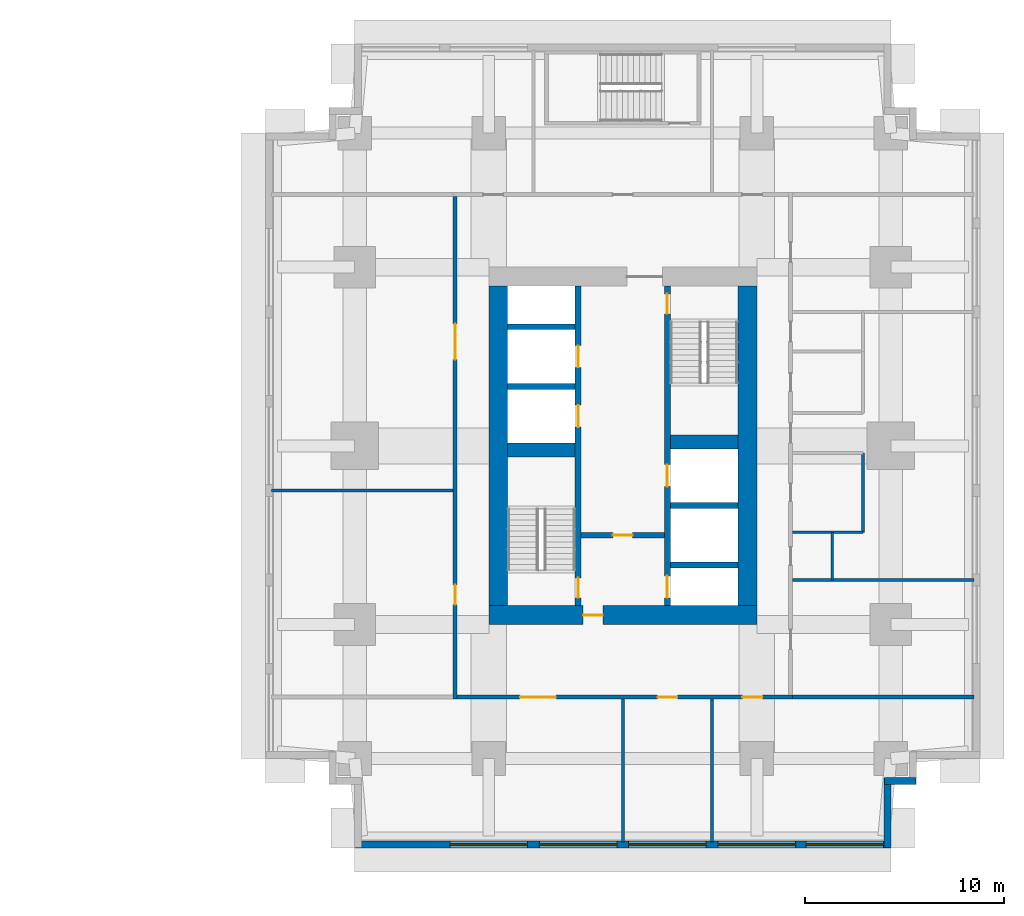
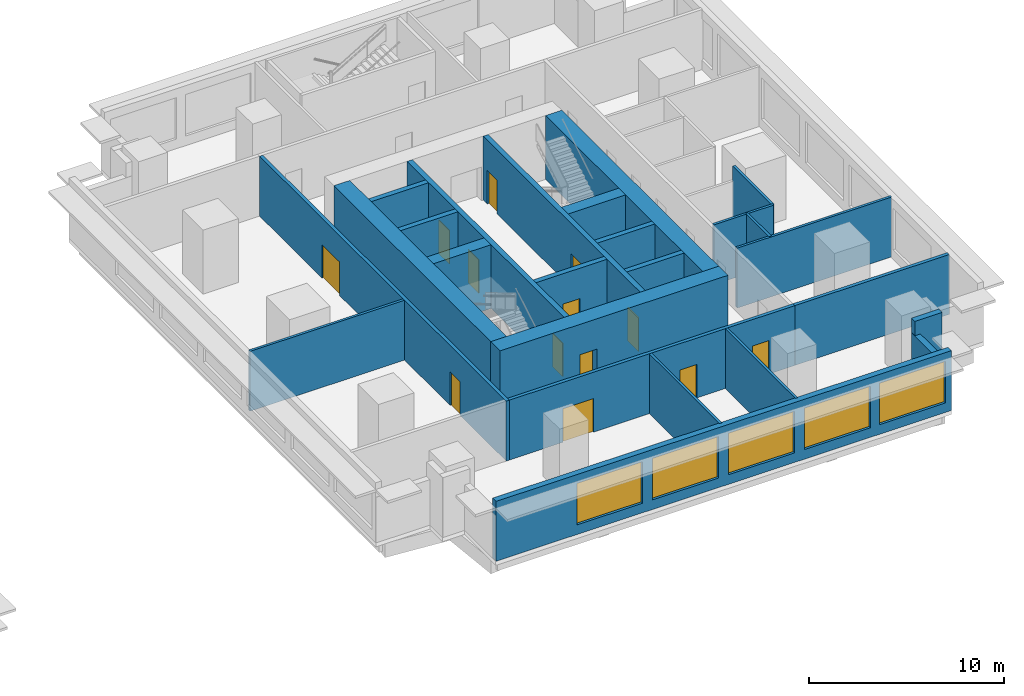
# One storey, part 6 of 11: 25 walls, 13 doors, 5 windows, 18 openings.
"""IFC4 building model written with IfcOpenShell, lengths in metres."""

from ifc_helpers import new_model, si_unit, direction, frame, frame_2d, origin, place, context, subcontext, project, spatial, rectangle, extrude, material, layer, layer_set, type_object, element, fill, save


model = new_model("IFC4")

# Units and contexts
model_context = context("Model", 3, precision=1e-05, world=origin(), true_north=direction((0.0, 1.0)))
body_context = subcontext(model_context, "Body", "Model", "MODEL_VIEW")
ifc_project = project(units=[si_unit("LENGTHUNIT", "METRE"), si_unit("AREAUNIT", "SQUARE_METRE"), si_unit("VOLUMEUNIT", "CUBIC_METRE"), si_unit("PLANEANGLEUNIT", "RADIAN"), si_unit("MASSUNIT", "GRAM", prefix="KILO")], contexts=[model_context])

# Site, building, storey
site_placement = place(None, origin())
site = spatial("IfcSite", under=ifc_project, at=site_placement, CompositionType="ELEMENT")
building_placement = place(site_placement, origin())
building = spatial("IfcBuilding", under=site, at=building_placement, Name="Namib Vertical Campus", CompositionType="ELEMENT")
storey_placement = place(building_placement, frame((0.0, 0.0, 65.0)))
storey = spatial("IfcBuildingStorey", under=building, at=storey_placement, Name="L15", CompositionType="ELEMENT", Elevation=65.0)

# Wall, openings, doors
ifc_material_1 = material(Name="Concrete C60/75", Category="concrete")
ifc_layer_1 = layer(ifc_material_1, 0.300048828125)
ifc_layer_set_1 = layer_set([ifc_layer_1], Name="Concrete C60/75")
wall_type_1 = type_object("IfcWallType", Name="Core inner wall 300", PredefinedType="SHEAR", material=ifc_layer_set_1)
wall_1_placement = place(storey_placement, frame((78.75, 12.199951171875, 0.0), z_axis=(0.0, 0.0, 1.0), x_axis=(0.0, 1.0, 0.0)))
wall_1 = element("IfcWall", 1, at=wall_1_placement, inside=storey, type_object=wall_type_1, Name="Core inner wall B L15 W1", PredefinedType="SHEAR", context=body_context, shape_type="SweptSolid", body=[
    extrude(rectangle(XDim=16.10009765625, YDim=0.300048828125, at=frame_2d((8.050048828125, 0.0))), origin(), (0.0, 0.0, 1.0), 4.0),
])
opening_1_placement = place(wall_1_placement, frame((0.39990234375, 0.0, 0.0)))
opening_1 = element("IfcOpeningElement", 2, at=opening_1_placement, cuts=wall_1, Name="Opening FD1", PredefinedType="OPENING", context=body_context, shape_type="SweptSolid", body=[
    extrude(rectangle(XDim=1.0, YDim=2.10009765625, at=frame_2d((0.5, 1.050048828125))), frame((0.0, 0.159912109375, 0.0), z_axis=(0.0, -1.0, 0.0), x_axis=(1.0, 0.0, 0.0)), (0.0, 0.0, 1.0), 0.320068359375),
])
opening_2_placement = place(wall_1_placement, frame((9.0, 0.0, 0.0)))
opening_2 = element("IfcOpeningElement", 3, at=opening_2_placement, cuts=wall_1, Name="Opening LD1", PredefinedType="OPENING", context=body_context, shape_type="SweptSolid", body=[
    extrude(rectangle(XDim=1.10009765625, YDim=2.10009765625, at=frame_2d((0.550048828125, 1.050048828125))), frame((0.0, 0.159912109375, 0.0), z_axis=(0.0, -1.0, 0.0), x_axis=(1.0, 0.0, 0.0)), (0.0, 0.0, 1.0), 0.320068359375),
])
opening_3_placement = place(wall_1_placement, frame((12.0, 0.0, 0.0)))
opening_3 = element("IfcOpeningElement", 4, at=opening_3_placement, cuts=wall_1, Name="Opening LD1", PredefinedType="OPENING", context=body_context, shape_type="SweptSolid", body=[
    extrude(rectangle(XDim=1.10009765625, YDim=2.10009765625, at=frame_2d((0.550048828125, 1.050048828125))), frame((0.0, 0.159912109375, 0.0), z_axis=(0.0, -1.0, 0.0), x_axis=(1.0, 0.0, 0.0)), (0.0, 0.0, 1.0), 0.320068359375),
])
ifc_material_2 = material(Name="Steel fire door", Category="steel")
door_type_1 = type_object("IfcDoorType", Name="Fire door 1000x2100", OperationType="SINGLE_SWING_RIGHT", PredefinedType="DOOR", material=ifc_material_2)
door_1_placement = place(opening_1_placement, origin())
door_1 = element("IfcDoor", 5, at=door_1_placement, inside=storey, type_object=door_type_1, Name="Stair door FD1 B L15 S1", OperationType="SINGLE_SWING_LEFT", OverallHeight=2.10009765625, OverallWidth=1.0, PredefinedType="DOOR", context=body_context, shape_type="SweptSolid", body=[
    extrude(rectangle(XDim=1.0, YDim=2.10009765625, at=frame_2d((0.5, 1.050048828125))), frame((0.0, 0.02490234375, 0.0), z_axis=(0.0, -1.0, 0.0), x_axis=(1.0, 0.0, 0.0)), (0.0, 0.0, 1.0), 0.050048828125),
])
fill(opening_1, door_1)
ifc_material_3 = material(Name="Stainless steel lift door", Category="steel")
door_type_2 = type_object("IfcDoorType", Name="Lift landing door 1100x2100", OperationType="DOUBLE_DOOR_SLIDING", PredefinedType="DOOR", material=ifc_material_3)
door_2_placement = place(opening_2_placement, origin())
door_2 = element("IfcDoor", 6, at=door_2_placement, inside=storey, type_object=door_type_2, Name="Lift landing door LD1 B-P1 L15", OperationType="DOUBLE_DOOR_SLIDING", OverallHeight=2.10009765625, OverallWidth=1.10009765625, PredefinedType="DOOR", context=body_context, shape_type="SweptSolid", body=[
    extrude(rectangle(XDim=1.10009765625, YDim=2.10009765625, at=frame_2d((0.550048828125, 1.050048828125))), frame((0.0, 0.02490234375, 0.0), z_axis=(0.0, -1.0, 0.0), x_axis=(1.0, 0.0, 0.0)), (0.0, 0.0, 1.0), 0.050048828125),
])
fill(opening_2, door_2)
door_3_placement = place(opening_3_placement, origin())
door_3 = element("IfcDoor", 7, at=door_3_placement, inside=storey, type_object=door_type_2, Name="Lift landing door LD1 B-P2 L15", OperationType="DOUBLE_DOOR_SLIDING", OverallHeight=2.10009765625, OverallWidth=1.10009765625, PredefinedType="DOOR", context=body_context, shape_type="SweptSolid", body=[
    extrude(rectangle(XDim=1.10009765625, YDim=2.10009765625, at=frame_2d((0.550048828125, 1.050048828125))), frame((0.0, 0.02490234375, 0.0), z_axis=(0.0, -1.0, 0.0), x_axis=(1.0, 0.0, 0.0)), (0.0, 0.0, 1.0), 0.050048828125),
])
fill(opening_3, door_3)

wall_2_placement = place(storey_placement, frame((83.25, 12.199951171875, 0.0), z_axis=(0.0, 0.0, 1.0), x_axis=(0.0, 1.0, 0.0)))
wall_2 = element("IfcWall", 8, at=wall_2_placement, inside=storey, type_object=wall_type_1, Name="Core inner wall B L15 W2", PredefinedType="SHEAR", context=body_context, shape_type="SweptSolid", body=[
    extrude(rectangle(XDim=16.10009765625, YDim=0.300048828125, at=frame_2d((8.050048828125, 0.0))), origin(), (0.0, 0.0, 1.0), 4.0),
])
opening_4_placement = place(wall_2_placement, frame((14.699951171875, 0.0, 0.0)))
opening_4 = element("IfcOpeningElement", 9, at=opening_4_placement, cuts=wall_2, Name="Opening FD1", PredefinedType="OPENING", context=body_context, shape_type="SweptSolid", body=[
    extrude(rectangle(XDim=1.0, YDim=2.10009765625, at=frame_2d((0.5, 1.050048828125))), frame((0.0, 0.159912109375, 0.0), z_axis=(0.0, -1.0, 0.0), x_axis=(1.0, 0.0, 0.0)), (0.0, 0.0, 1.0), 0.320068359375),
])
opening_5_placement = place(wall_2_placement, frame((0.39990234375, 0.0, 0.0)))
opening_5 = element("IfcOpeningElement", 10, at=opening_5_placement, cuts=wall_2, Name="Opening LD1", PredefinedType="OPENING", context=body_context, shape_type="SweptSolid", body=[
    extrude(rectangle(XDim=1.10009765625, YDim=2.10009765625, at=frame_2d((0.550048828125, 1.050048828125))), frame((0.0, 0.159912109375, 0.0), z_axis=(0.0, -1.0, 0.0), x_axis=(1.0, 0.0, 0.0)), (0.0, 0.0, 1.0), 0.320068359375),
])
opening_6_placement = place(wall_2_placement, frame((6.0, 0.0, 0.0)))
opening_6 = element("IfcOpeningElement", 11, at=opening_6_placement, cuts=wall_2, Name="Opening LD1", PredefinedType="OPENING", context=body_context, shape_type="SweptSolid", body=[
    extrude(rectangle(XDim=1.10009765625, YDim=2.10009765625, at=frame_2d((0.550048828125, 1.050048828125))), frame((0.0, 0.159912109375, 0.0), z_axis=(0.0, -1.0, 0.0), x_axis=(1.0, 0.0, 0.0)), (0.0, 0.0, 1.0), 0.320068359375),
])
door_4_placement = place(opening_4_placement, frame((1.0, 0.0, 0.0), z_axis=(0.0, 0.0, 1.0), x_axis=(-1.0, 0.0, 0.0)))
door_4 = element("IfcDoor", 12, at=door_4_placement, inside=storey, type_object=door_type_1, Name="Stair door FD1 B L15 S2", OperationType="SINGLE_SWING_LEFT", OverallHeight=2.10009765625, OverallWidth=1.0, PredefinedType="DOOR", context=body_context, shape_type="SweptSolid", body=[
    extrude(rectangle(XDim=1.0, YDim=2.10009765625, at=frame_2d((0.5, 1.050048828125))), frame((0.0, 0.02490234375, 0.0), z_axis=(0.0, -1.0, 0.0), x_axis=(1.0, 0.0, 0.0)), (0.0, 0.0, 1.0), 0.050048828125),
])
fill(opening_4, door_4)
door_5_placement = place(opening_5_placement, origin())
door_5 = element("IfcDoor", 13, at=door_5_placement, inside=storey, type_object=door_type_2, Name="Lift landing door LD1 B-FL1 L15", OperationType="DOUBLE_DOOR_SLIDING", OverallHeight=2.10009765625, OverallWidth=1.10009765625, PredefinedType="DOOR", context=body_context, shape_type="SweptSolid", body=[
    extrude(rectangle(XDim=1.10009765625, YDim=2.10009765625, at=frame_2d((0.550048828125, 1.050048828125))), frame((0.0, 0.02490234375, 0.0), z_axis=(0.0, -1.0, 0.0), x_axis=(1.0, 0.0, 0.0)), (0.0, 0.0, 1.0), 0.050048828125),
])
fill(opening_5, door_5)
door_6_placement = place(opening_6_placement, origin())
door_6 = element("IfcDoor", 14, at=door_6_placement, inside=storey, type_object=door_type_2, Name="Lift landing door LD1 B-P5 L15", OperationType="DOUBLE_DOOR_SLIDING", OverallHeight=2.10009765625, OverallWidth=1.10009765625, PredefinedType="DOOR", context=body_context, shape_type="SweptSolid", body=[
    extrude(rectangle(XDim=1.10009765625, YDim=2.10009765625, at=frame_2d((0.550048828125, 1.050048828125))), frame((0.0, 0.02490234375, 0.0), z_axis=(0.0, -1.0, 0.0), x_axis=(1.0, 0.0, 0.0)), (0.0, 0.0, 1.0), 0.050048828125),
])
fill(opening_6, door_6)

# Wall, opening, door
wall_3_placement = place(storey_placement, frame((78.89990234375, 15.75, 0.0), z_axis=(0.0, 0.0, 1.0), x_axis=(1.0, 0.0, 0.0)))
wall_3 = element("IfcWall", 15, at=wall_3_placement, inside=storey, type_object=wall_type_1, Name="Core inner wall B L15 W4", PredefinedType="SHEAR", context=body_context, shape_type="SweptSolid", body=[
    extrude(rectangle(XDim=4.2001953125, YDim=0.300048828125, at=frame_2d((2.10009765625, 0.0))), origin(), (0.0, 0.0, 1.0), 4.0),
])
opening_7_placement = place(wall_3_placement, frame((1.60009765625, 0.0, 0.0)))
opening_7 = element("IfcOpeningElement", 16, at=opening_7_placement, cuts=wall_3, Name="Opening FD5", PredefinedType="OPENING", context=body_context, shape_type="SweptSolid", body=[
    extrude(rectangle(XDim=1.0, YDim=2.10009765625, at=frame_2d((0.5, 1.050048828125))), frame((0.0, 0.159912109375, 0.0), z_axis=(0.0, -1.0, 0.0), x_axis=(1.0, 0.0, 0.0)), (0.0, 0.0, 1.0), 0.320068359375),
])
ifc_material_4 = material(Name="Steel fire door", Category="steel")
door_type_3 = type_object("IfcDoorType", Name="Fire door 1000x2100 120 min", OperationType="SINGLE_SWING_RIGHT", PredefinedType="DOOR", material=ifc_material_4)
door_7_placement = place(opening_7_placement, frame((1.0, 0.0, 0.0), z_axis=(0.0, 0.0, 1.0), x_axis=(-1.0, 0.0, 0.0)))
door_7 = element("IfcDoor", 17, at=door_7_placement, inside=storey, type_object=door_type_3, Name="Lobby door FD5 B L15", OperationType="SINGLE_SWING_RIGHT", OverallHeight=2.10009765625, OverallWidth=1.0, PredefinedType="DOOR", context=body_context, shape_type="SweptSolid", body=[
    extrude(rectangle(XDim=1.0, YDim=2.10009765625, at=frame_2d((0.5, 1.050048828125))), frame((0.0, 0.02490234375, 0.0), z_axis=(0.0, -1.0, 0.0), x_axis=(1.0, 0.0, 0.0)), (0.0, 0.0, 1.0), 0.050048828125),
])
fill(opening_7, door_7)

# Walls
for number, where, z_axis, x_axis, name in (
    (18, (83.39990234375, 14.25, 0.0), (0.0, 0.0, 1.0), (1.0, 0.0, 0.0), "Core inner wall B L15 W5"),
    (19, (83.39990234375, 17.25, 0.0), (0.0, 0.0, 1.0), (1.0, 0.0, 0.0), "Core inner wall B L15 W6"),
    (20, (75.199951171875, 23.25, 0.0), (0.0, 0.0, 1.0), (1.0, 0.0, 0.0), "Core inner wall B L15 W8"),
    (21, (75.199951171875, 26.25, 0.0), (0.0, 0.0, 1.0), (1.0, 0.0, 0.0), "Core inner wall B L15 W9"),
):
    element("IfcWall", number, at=place(storey_placement, frame(where, z_axis=z_axis, x_axis=x_axis)), inside=storey, type_object=wall_type_1, Name=name, PredefinedType="SHEAR", context=body_context, shape_type="SweptSolid", body=[
        extrude(rectangle(XDim=3.400146484375, YDim=0.300048828125, at=frame_2d((1.7001953125, 0.0))), origin(), (0.0, 0.0, 1.0), 4.0),
    ])
ifc_material_5 = material(Name="Concrete C60/75", Category="concrete")
ifc_layer_2 = layer(ifc_material_5, 0.699951171875)
ifc_layer_set_2 = layer_set([ifc_layer_2], Name="Concrete C60/75")
wall_type_2 = type_object("IfcWallType", Name="Core shear wall 700", PredefinedType="SHEAR", material=ifc_layer_set_2)
for number, where, z_axis, x_axis, name in (
    (22, (75.199951171875, 20.050048828125, 0.0), (0.0, 0.0, 1.0), (1.0, 0.0, 0.0), "Core shear wall B L15 W3"),
    (23, (83.39990234375, 20.449951171875, 0.0), (0.0, 0.0, 1.0), (1.0, 0.0, 0.0), "Core shear wall B L15 W7"),
):
    element("IfcWall", number, at=place(storey_placement, frame(where, z_axis=z_axis, x_axis=x_axis)), inside=storey, type_object=wall_type_2, Name=name, PredefinedType="SHEAR", context=body_context, shape_type="SweptSolid", body=[
        extrude(rectangle(XDim=3.400146484375, YDim=0.699951171875, at=frame_2d((1.7001953125, 0.0))), origin(), (0.0, 0.0, 1.0), 4.0),
    ])

# Wall, opening, door
ifc_material_6 = material(Name="Concrete C60/75", Category="concrete")
ifc_layer_3 = layer(ifc_material_6, 0.949951171875)
ifc_layer_set_3 = layer_set([ifc_layer_3], Name="Concrete C60/75")
wall_type_3 = type_object("IfcWallType", Name="Core wall 950", PredefinedType="SHEAR", material=ifc_layer_set_3)
wall_4_placement = place(storey_placement, frame((74.25, 11.72509765625, 0.0), z_axis=(0.0, 0.0, 1.0), x_axis=(1.0, 0.0, 0.0)))
wall_4 = element("IfcWall", 24, at=wall_4_placement, inside=storey, type_object=wall_type_3, Name="Core wall B L15 1", PredefinedType="SHEAR", context=body_context, shape_type="SweptSolid", body=[
    extrude(rectangle(XDim=13.5, YDim=0.949951171875, at=frame_2d((6.75, 0.0))), origin(), (0.0, 0.0, 1.0), 4.0),
])
opening_8_placement = place(wall_4_placement, frame((4.75, 0.0, 0.0)))
opening_8 = element("IfcOpeningElement", 25, at=opening_8_placement, cuts=wall_4, Name="Opening FD5", PredefinedType="OPENING", context=body_context, shape_type="SweptSolid", body=[
    extrude(rectangle(XDim=1.0, YDim=2.10009765625, at=frame_2d((0.5, 1.050048828125))), frame((0.0, 0.48486328125, 0.0), z_axis=(0.0, -1.0, 0.0), x_axis=(1.0, 0.0, 0.0)), (0.0, 0.0, 1.0), 0.969970703125),
])
door_8_placement = place(opening_8_placement, origin())
door_8 = element("IfcDoor", 26, at=door_8_placement, inside=storey, type_object=door_type_3, Name="Firefighting lobby door FD5 B L15", OperationType="SINGLE_SWING_LEFT", OverallHeight=2.10009765625, OverallWidth=1.0, PredefinedType="DOOR", context=body_context, shape_type="SweptSolid", body=[
    extrude(rectangle(XDim=1.0, YDim=2.10009765625, at=frame_2d((0.5, 1.050048828125))), frame((0.0, 0.02490234375, 0.0), z_axis=(0.0, -1.0, 0.0), x_axis=(1.0, 0.0, 0.0)), (0.0, 0.0, 1.0), 0.050048828125),
])
fill(opening_8, door_8)

# Walls
for number, where, z_axis, x_axis, name in (
    (27, (87.27490234375, 12.199951171875, 0.0), (0.0, 0.0, 1.0), (0.0, 1.0, 0.0), "Core wall B L15 2"),
    (28, (74.72509765625, 28.300048828125, 0.0), (0.0, 0.0, 1.0), (0.0, -1.0, 0.0), "Core wall B L15 4"),
):
    element("IfcWall", number, at=place(storey_placement, frame(where, z_axis=z_axis, x_axis=x_axis)), inside=storey, type_object=wall_type_3, Name=name, PredefinedType="SHEAR", context=body_context, shape_type="SweptSolid", body=[
        extrude(rectangle(XDim=16.10009765625, YDim=0.949951171875, at=frame_2d((8.050048828125, 0.0))), origin(), (0.0, 0.0, 1.0), 4.0),
    ])

# Wall, openings, doors
ifc_material_7 = material(Name="Concrete masonry", Category="masonry")
ifc_layer_4 = layer(ifc_material_7, 0.199951171875)
ifc_layer_set_4 = layer_set([ifc_layer_4], Name="Corridor wall 200")
wall_type_4 = type_object("IfcWallType", Name="Corridor wall 200", PredefinedType="SOLIDWALL", material=ifc_layer_set_4)
wall_5_placement = place(storey_placement, frame((72.64990234375, 7.60009765625, 0.0), z_axis=(0.0, 0.0, 1.0), x_axis=(1.0, 0.0, 0.0)))
wall_5 = element("IfcWall", 29, at=wall_5_placement, inside=storey, type_object=wall_type_4, Name="Corridor wall B L15 CS", PredefinedType="SOLIDWALL", context=body_context, shape_type="SweptSolid", body=[
    extrude(rectangle(XDim=16.900146484375, YDim=0.199951171875, at=frame_2d((8.4501953125, 0.0))), origin(), (0.0, 0.0, 1.0), 3.75),
])
opening_9_placement = place(wall_5_placement, frame((3.175048828125, 0.0, 0.0)))
opening_9 = element("IfcOpeningElement", 30, at=opening_9_placement, cuts=wall_5, Name="Opening CD2", PredefinedType="OPENING", context=body_context, shape_type="SweptSolid", body=[
    extrude(rectangle(XDim=1.800048828125, YDim=2.10009765625, at=frame_2d((0.89990234375, 1.050048828125))), frame((0.0, 0.10986328125, 0.0), z_axis=(0.0, -1.0, 0.0), x_axis=(1.0, 0.0, 0.0)), (0.0, 0.0, 1.0), 0.219970703125),
])
opening_10_placement = place(wall_5_placement, frame((10.10009765625, 0.0, 0.0)))
opening_10 = element("IfcOpeningElement", 31, at=opening_10_placement, cuts=wall_5, Name="Opening CD1", PredefinedType="OPENING", context=body_context, shape_type="SweptSolid", body=[
    extrude(rectangle(XDim=1.0, YDim=2.10009765625, at=frame_2d((0.5, 1.050048828125))), frame((0.0, 0.10986328125, 0.0), z_axis=(0.0, -1.0, 0.0), x_axis=(1.0, 0.0, 0.0)), (0.0, 0.0, 1.0), 0.219970703125),
])
opening_11_placement = place(wall_5_placement, frame((14.375, 0.0, 0.0)))
opening_11 = element("IfcOpeningElement", 32, at=opening_11_placement, cuts=wall_5, Name="Opening CD1", PredefinedType="OPENING", context=body_context, shape_type="SweptSolid", body=[
    extrude(rectangle(XDim=1.0, YDim=2.10009765625, at=frame_2d((0.5, 1.050048828125))), frame((0.0, 0.10986328125, 0.0), z_axis=(0.0, -1.0, 0.0), x_axis=(1.0, 0.0, 0.0)), (0.0, 0.0, 1.0), 0.219970703125),
])
ifc_material_8 = material(Name="Timber fire door leaf", Category="wood")
door_type_4 = type_object("IfcDoorType", Name="Corridor door 1000x2100 20 min", OperationType="SINGLE_SWING_LEFT", PredefinedType="DOOR", material=ifc_material_8)
door_9_placement = place(opening_10_placement, frame((1.0, 0.0, 0.0), z_axis=(0.0, 0.0, 1.0), x_axis=(-1.0, 0.0, 0.0)))
door_9 = element("IfcDoor", 33, at=door_9_placement, inside=storey, type_object=door_type_4, Name="Door CD1 B15-02", OperationType="SINGLE_SWING_RIGHT", OverallHeight=2.10009765625, OverallWidth=1.0, PredefinedType="DOOR", context=body_context, shape_type="SweptSolid", body=[
    extrude(rectangle(XDim=1.0, YDim=2.10009765625, at=frame_2d((0.5, 1.050048828125))), frame((0.0, 0.02490234375, 0.0), z_axis=(0.0, -1.0, 0.0), x_axis=(1.0, 0.0, 0.0)), (0.0, 0.0, 1.0), 0.050048828125),
])
fill(opening_10, door_9)
door_10_placement = place(opening_11_placement, frame((1.0, 0.0, 0.0), z_axis=(0.0, 0.0, 1.0), x_axis=(-1.0, 0.0, 0.0)))
door_10 = element("IfcDoor", 34, at=door_10_placement, inside=storey, type_object=door_type_4, Name="Door CD1 B15-03", OperationType="SINGLE_SWING_RIGHT", OverallHeight=2.10009765625, OverallWidth=1.0, PredefinedType="DOOR", context=body_context, shape_type="SweptSolid", body=[
    extrude(rectangle(XDim=1.0, YDim=2.10009765625, at=frame_2d((0.5, 1.050048828125))), frame((0.0, 0.02490234375, 0.0), z_axis=(0.0, -1.0, 0.0), x_axis=(1.0, 0.0, 0.0)), (0.0, 0.0, 1.0), 0.050048828125),
])
fill(opening_11, door_10)
ifc_material_9 = material(Name="Timber fire door leaf", Category="wood")
door_type_5 = type_object("IfcDoorType", Name="Corridor door double 1800x2100 20 min", OperationType="DOUBLE_DOOR_SINGLE_SWING", PredefinedType="DOOR", material=ifc_material_9)
door_11_placement = place(opening_9_placement, frame((1.800048828125, 0.0, 0.0), z_axis=(0.0, 0.0, 1.0), x_axis=(-1.0, 0.0, 0.0)))
door_11 = element("IfcDoor", 35, at=door_11_placement, inside=storey, type_object=door_type_5, Name="Door CD2 B15-01", OperationType="DOUBLE_DOOR_SINGLE_SWING", OverallHeight=2.10009765625, OverallWidth=1.800048828125, PredefinedType="DOOR", context=body_context, shape_type="SweptSolid", body=[
    extrude(rectangle(XDim=1.800048828125, YDim=2.10009765625, at=frame_2d((0.89990234375, 1.050048828125))), frame((0.0, 0.02490234375, 0.0), z_axis=(0.0, -1.0, 0.0), x_axis=(1.0, 0.0, 0.0)), (0.0, 0.0, 1.0), 0.050048828125),
])
fill(opening_9, door_11)

wall_6_placement = place(storey_placement, frame((72.550048828125, 32.800048828125, 0.0), z_axis=(0.0, 0.0, 1.0), x_axis=(0.0, -1.0, 0.0)))
wall_6 = element("IfcWall", 36, at=wall_6_placement, inside=storey, type_object=wall_type_4, Name="Corridor wall B L15 CW", PredefinedType="SOLIDWALL", context=body_context, shape_type="SweptSolid", body=[
    extrude(rectangle(XDim=25.300048828125, YDim=0.199951171875, at=frame_2d((12.64990234375, 0.0))), origin(), (0.0, 0.0, 1.0), 3.75),
])
opening_12_placement = place(wall_6_placement, frame((19.550048828125, 0.0, 0.0)))
opening_12 = element("IfcOpeningElement", 37, at=opening_12_placement, cuts=wall_6, Name="Opening CD1", PredefinedType="OPENING", context=body_context, shape_type="SweptSolid", body=[
    extrude(rectangle(XDim=1.0, YDim=2.10009765625, at=frame_2d((0.5, 1.050048828125))), frame((0.0, 0.10986328125, 0.0), z_axis=(0.0, -1.0, 0.0), x_axis=(1.0, 0.0, 0.0)), (0.0, 0.0, 1.0), 0.219970703125),
])
opening_13_placement = place(wall_6_placement, frame((6.39990234375, 0.0, 0.0)))
opening_13 = element("IfcOpeningElement", 38, at=opening_13_placement, cuts=wall_6, Name="Opening CD2", PredefinedType="OPENING", context=body_context, shape_type="SweptSolid", body=[
    extrude(rectangle(XDim=1.800048828125, YDim=2.10009765625, at=frame_2d((0.89990234375, 1.050048828125))), frame((0.0, 0.10986328125, 0.0), z_axis=(0.0, -1.0, 0.0), x_axis=(1.0, 0.0, 0.0)), (0.0, 0.0, 1.0), 0.219970703125),
])
door_12_placement = place(opening_12_placement, frame((1.0, 0.0, 0.0), z_axis=(0.0, 0.0, 1.0), x_axis=(-1.0, 0.0, 0.0)))
door_12 = element("IfcDoor", 39, at=door_12_placement, inside=storey, type_object=door_type_4, Name="Door CD1 B15-14", OperationType="SINGLE_SWING_RIGHT", OverallHeight=2.10009765625, OverallWidth=1.0, PredefinedType="DOOR", context=body_context, shape_type="SweptSolid", body=[
    extrude(rectangle(XDim=1.0, YDim=2.10009765625, at=frame_2d((0.5, 1.050048828125))), frame((0.0, 0.02490234375, 0.0), z_axis=(0.0, -1.0, 0.0), x_axis=(1.0, 0.0, 0.0)), (0.0, 0.0, 1.0), 0.050048828125),
])
fill(opening_12, door_12)
door_13_placement = place(opening_13_placement, frame((1.800048828125, 0.0, 0.0), z_axis=(0.0, 0.0, 1.0), x_axis=(-1.0, 0.0, 0.0)))
door_13 = element("IfcDoor", 40, at=door_13_placement, inside=storey, type_object=door_type_5, Name="Door CD2 B15-15", OperationType="DOUBLE_DOOR_SINGLE_SWING", OverallHeight=2.10009765625, OverallWidth=1.800048828125, PredefinedType="DOOR", context=body_context, shape_type="SweptSolid", body=[
    extrude(rectangle(XDim=1.800048828125, YDim=2.10009765625, at=frame_2d((0.89990234375, 1.050048828125))), frame((0.0, 0.02490234375, 0.0), z_axis=(0.0, -1.0, 0.0), x_axis=(1.0, 0.0, 0.0)), (0.0, 0.0, 1.0), 0.050048828125),
])
fill(opening_13, door_13)

# Wall
wall_7_placement = place(storey_placement, frame((89.550048828125, 7.60009765625, 0.0), z_axis=(0.0, 0.0, 1.0), x_axis=(1.0, 0.0, 0.0)))
element("IfcWall", 41, at=wall_7_placement, inside=storey, type_object=wall_type_4, Name="Partition B L15 BSE", PredefinedType="SOLIDWALL", context=body_context, shape_type="SweptSolid", body=[
    extrude(rectangle(XDim=9.14990234375, YDim=0.199951171875, at=frame_2d((4.574951171875, 0.0))), origin(), (0.0, 0.0, 1.0), 3.75),
])

# Wall, openings, windows
ifc_material_10 = material(Name="Concrete C40/50", Category="concrete")
ifc_layer_5 = layer(ifc_material_10, 0.35009765625)
ifc_layer_set_5 = layer_set([ifc_layer_5], Name="Concrete C40/50")
wall_type_5 = type_object("IfcWallType", Name="External wall 350 bush-hammered concrete", PredefinedType="STANDARD", material=ifc_layer_set_5)
wall_8_placement = place(storey_placement, frame((67.52001953125, 0.175048828125, 0.0), z_axis=(0.0, 0.0, 1.0), x_axis=(1.0, 0.0, 0.0)))
wall_8 = element("IfcWall", 42, at=wall_8_placement, inside=storey, type_object=wall_type_5, Name="External wall L15 F01", PredefinedType="STANDARD", context=body_context, shape_type="SweptSolid", body=[
    extrude(rectangle(XDim=26.9599609375, YDim=0.35009765625, at=frame_2d((13.47998046875, 0.0))), origin(), (0.0, 0.0, 1.0), 3.75),
])
opening_14_placement = place(wall_8_placement, frame((4.780029296875, 0.0, 0.60009765625)))
opening_14 = element("IfcOpeningElement", 43, at=opening_14_placement, cuts=wall_8, Name="Opening W2", PredefinedType="OPENING", context=body_context, shape_type="SweptSolid", body=[
    extrude(rectangle(XDim=3.89990234375, YDim=2.60009765625, at=frame_2d((1.949951171875, 1.300048828125))), frame((0.0, 0.18505859375, 0.0), z_axis=(0.0, -1.0, 0.0), x_axis=(1.0, 0.0, 0.0)), (0.0, 0.0, 1.0), 0.3701171875),
])
opening_15_placement = place(wall_8_placement, frame((9.280029296875, 0.0, 0.60009765625)))
opening_15 = element("IfcOpeningElement", 44, at=opening_15_placement, cuts=wall_8, Name="Opening W2", PredefinedType="OPENING", context=body_context, shape_type="SweptSolid", body=[
    extrude(rectangle(XDim=3.89990234375, YDim=2.60009765625, at=frame_2d((1.949951171875, 1.300048828125))), frame((0.0, 0.18505859375, 0.0), z_axis=(0.0, -1.0, 0.0), x_axis=(1.0, 0.0, 0.0)), (0.0, 0.0, 1.0), 0.3701171875),
])
opening_16_placement = place(wall_8_placement, frame((13.780029296875, 0.0, 0.60009765625)))
opening_16 = element("IfcOpeningElement", 45, at=opening_16_placement, cuts=wall_8, Name="Opening W2", PredefinedType="OPENING", context=body_context, shape_type="SweptSolid", body=[
    extrude(rectangle(XDim=3.89990234375, YDim=2.60009765625, at=frame_2d((1.949951171875, 1.300048828125))), frame((0.0, 0.18505859375, 0.0), z_axis=(0.0, -1.0, 0.0), x_axis=(1.0, 0.0, 0.0)), (0.0, 0.0, 1.0), 0.3701171875),
])
opening_17_placement = place(wall_8_placement, frame((18.280029296875, 0.0, 0.60009765625)))
opening_17 = element("IfcOpeningElement", 46, at=opening_17_placement, cuts=wall_8, Name="Opening W2", PredefinedType="OPENING", context=body_context, shape_type="SweptSolid", body=[
    extrude(rectangle(XDim=3.89990234375, YDim=2.60009765625, at=frame_2d((1.949951171875, 1.300048828125))), frame((0.0, 0.18505859375, 0.0), z_axis=(0.0, -1.0, 0.0), x_axis=(1.0, 0.0, 0.0)), (0.0, 0.0, 1.0), 0.3701171875),
])
opening_18_placement = place(wall_8_placement, frame((22.7099609375, 0.0, 0.60009765625)))
opening_18 = element("IfcOpeningElement", 47, at=opening_18_placement, cuts=wall_8, Name="Opening W2", PredefinedType="OPENING", context=body_context, shape_type="SweptSolid", body=[
    extrude(rectangle(XDim=3.89990234375, YDim=2.60009765625, at=frame_2d((1.949951171875, 1.300048828125))), frame((0.0, 0.18505859375, 0.0), z_axis=(0.0, -1.0, 0.0), x_axis=(1.0, 0.0, 0.0)), (0.0, 0.0, 1.0), 0.3701171875),
])
ifc_material_11 = material(Name="Dark tinted glass in black aluminium frame", Category="aluminium")
window_type = type_object("IfcWindowType", Name="Ribbon window 3900x2600", PartitioningType="SINGLE_PANEL", PredefinedType="WINDOW", material=ifc_material_11)
window_1_placement = place(opening_14_placement, origin())
window_1 = element("IfcWindow", 48, at=window_1_placement, inside=storey, type_object=window_type, Name="Window W2 L15 F01-2", OverallHeight=2.60009765625, OverallWidth=3.89990234375, PartitioningType="SINGLE_PANEL", PredefinedType="WINDOW", context=body_context, shape_type="SweptSolid", body=[
    extrude(rectangle(XDim=3.89990234375, YDim=2.60009765625, at=frame_2d((1.949951171875, 1.300048828125))), frame((0.0, 0.030029296875, 0.0), z_axis=(0.0, -1.0, 0.0), x_axis=(1.0, 0.0, 0.0)), (0.0, 0.0, 1.0), 0.06005859375),
])
fill(opening_14, window_1)
window_2_placement = place(opening_15_placement, origin())
window_2 = element("IfcWindow", 49, at=window_2_placement, inside=storey, type_object=window_type, Name="Window W2 L15 F01-3", OverallHeight=2.60009765625, OverallWidth=3.89990234375, PartitioningType="SINGLE_PANEL", PredefinedType="WINDOW", context=body_context, shape_type="SweptSolid", body=[
    extrude(rectangle(XDim=3.89990234375, YDim=2.60009765625, at=frame_2d((1.949951171875, 1.300048828125))), frame((0.0, 0.030029296875, 0.0), z_axis=(0.0, -1.0, 0.0), x_axis=(1.0, 0.0, 0.0)), (0.0, 0.0, 1.0), 0.06005859375),
])
fill(opening_15, window_2)
window_3_placement = place(opening_16_placement, origin())
window_3 = element("IfcWindow", 50, at=window_3_placement, inside=storey, type_object=window_type, Name="Window W2 L15 F01-4", OverallHeight=2.60009765625, OverallWidth=3.89990234375, PartitioningType="SINGLE_PANEL", PredefinedType="WINDOW", context=body_context, shape_type="SweptSolid", body=[
    extrude(rectangle(XDim=3.89990234375, YDim=2.60009765625, at=frame_2d((1.949951171875, 1.300048828125))), frame((0.0, 0.030029296875, 0.0), z_axis=(0.0, -1.0, 0.0), x_axis=(1.0, 0.0, 0.0)), (0.0, 0.0, 1.0), 0.06005859375),
])
fill(opening_16, window_3)
window_4_placement = place(opening_17_placement, origin())
window_4 = element("IfcWindow", 51, at=window_4_placement, inside=storey, type_object=window_type, Name="Window W2 L15 F01-5", OverallHeight=2.60009765625, OverallWidth=3.89990234375, PartitioningType="SINGLE_PANEL", PredefinedType="WINDOW", context=body_context, shape_type="SweptSolid", body=[
    extrude(rectangle(XDim=3.89990234375, YDim=2.60009765625, at=frame_2d((1.949951171875, 1.300048828125))), frame((0.0, 0.030029296875, 0.0), z_axis=(0.0, -1.0, 0.0), x_axis=(1.0, 0.0, 0.0)), (0.0, 0.0, 1.0), 0.06005859375),
])
fill(opening_17, window_4)
window_5_placement = place(opening_18_placement, origin())
window_5 = element("IfcWindow", 52, at=window_5_placement, inside=storey, type_object=window_type, Name="Window W2 L15 F01-6", OverallHeight=2.60009765625, OverallWidth=3.89990234375, PartitioningType="SINGLE_PANEL", PredefinedType="WINDOW", context=body_context, shape_type="SweptSolid", body=[
    extrude(rectangle(XDim=3.89990234375, YDim=2.60009765625, at=frame_2d((1.949951171875, 1.300048828125))), frame((0.0, 0.030029296875, 0.0), z_axis=(0.0, -1.0, 0.0), x_axis=(1.0, 0.0, 0.0)), (0.0, 0.0, 1.0), 0.06005859375),
])
fill(opening_18, window_5)

# Walls
wall_9_placement = place(storey_placement, frame((94.324951171875, 0.02001953125, 0.0), z_axis=(0.0, 0.0, 1.0), x_axis=(0.0, 1.0, 0.0)))
element("IfcWall", 53, at=wall_9_placement, inside=storey, type_object=wall_type_5, Name="External wall L15 F02", PredefinedType="STANDARD", context=body_context, shape_type="SweptSolid", body=[
    extrude(rectangle(XDim=3.510009765625, YDim=0.35009765625, at=frame_2d((1.7548828125, 0.0))), origin(), (0.0, 0.0, 1.0), 2.85009765625),
])
wall_10_placement = place(storey_placement, frame((94.169921875, 3.375, 0.0), z_axis=(0.0, 0.0, 1.0), x_axis=(1.0, 0.0, 0.0)))
element("IfcWall", 54, at=wall_10_placement, inside=storey, type_object=wall_type_5, Name="External wall L15 F03", PredefinedType="STANDARD", context=body_context, shape_type="SweptSolid", body=[
    extrude(rectangle(XDim=1.610107421875, YDim=0.35009765625, at=frame_2d((0.80517578125, 0.0))), origin(), (0.0, 0.0, 1.0), 3.75),
])
ifc_material_12 = material(Name="Gypsum board on steel studs", Category="steel")
ifc_layer_6 = layer(ifc_material_12, 0.14990234375)
ifc_layer_set_6 = layer_set([ifc_layer_6], Name="Gypsum board on steel studs")
wall_type_6 = type_object("IfcWallType", Name="Partition 150", PredefinedType="PARTITIONING", material=ifc_layer_set_6)
for number, where, z_axis, x_axis, name in (
    (55, (81.0, 0.300048828125, 0.0), (0.0, 0.0, 1.0), (0.0, 1.0, 0.0), "Partition B L15 PS1"),
    (56, (85.5, 0.300048828125, 0.0), (0.0, 0.0, 1.0), (0.0, 1.0, 0.0), "Partition B L15 PS2"),
):
    element("IfcWall", number, at=place(storey_placement, frame(where, z_axis=z_axis, x_axis=x_axis)), inside=storey, type_object=wall_type_6, Name=name, PredefinedType="PARTITIONING", context=body_context, shape_type="SweptSolid", body=[
        extrude(rectangle(XDim=7.199951171875, YDim=0.14990234375, at=frame_2d((3.60009765625, 0.0))), origin(), (0.0, 0.0, 1.0), 3.75),
    ])
for number, where, z_axis, x_axis, name in (
    (57, (89.550048828125, 13.5, 0.0), (0.0, 0.0, 1.0), (1.0, 0.0, 0.0), "Partition B L15 PE1"),
    (58, (63.300048828125, 18.0, 0.0), (0.0, 0.0, 1.0), (1.0, 0.0, 0.0), "Partition B L15 PW1"),
):
    element("IfcWall", number, at=place(storey_placement, frame(where, z_axis=z_axis, x_axis=x_axis)), inside=storey, type_object=wall_type_6, Name=name, PredefinedType="PARTITIONING", context=body_context, shape_type="SweptSolid", body=[
        extrude(rectangle(XDim=9.14990234375, YDim=0.14990234375, at=frame_2d((4.574951171875, 0.0))), origin(), (0.0, 0.0, 1.0), 3.75),
    ])
wall_11_placement = place(storey_placement, frame((89.550048828125, 15.89990234375, 0.0), z_axis=(0.0, 0.0, 1.0), x_axis=(1.0, 0.0, 0.0)))
element("IfcWall", 59, at=wall_11_placement, inside=storey, type_object=wall_type_6, Name="Partition B L15 WR1", PredefinedType="PARTITIONING", context=body_context, shape_type="SweptSolid", body=[
    extrude(rectangle(XDim=3.550048828125, YDim=0.14990234375, at=frame_2d((1.77490234375, 0.0))), origin(), (0.0, 0.0, 1.0), 3.75),
])
wall_12_placement = place(storey_placement, frame((91.550048828125, 13.5, 0.0), z_axis=(0.0, 0.0, 1.0), x_axis=(0.0, 1.0, 0.0)))
element("IfcWall", 60, at=wall_12_placement, inside=storey, type_object=wall_type_6, Name="Partition B L15 WB1", PredefinedType="PARTITIONING", context=body_context, shape_type="SweptSolid", body=[
    extrude(rectangle(XDim=2.39990234375, YDim=0.14990234375, at=frame_2d((1.199951171875, 0.0))), origin(), (0.0, 0.0, 1.0), 3.75),
])
wall_13_placement = place(storey_placement, frame((93.10009765625, 15.89990234375, 0.0), z_axis=(0.0, 0.0, 1.0), x_axis=(0.0, 1.0, 0.0)))
element("IfcWall", 61, at=wall_13_placement, inside=storey, type_object=wall_type_6, Name="Partition B L15 WB2", PredefinedType="PARTITIONING", context=body_context, shape_type="SweptSolid", body=[
    extrude(rectangle(XDim=4.0, YDim=0.14990234375, at=frame_2d((2.0, 0.0))), origin(), (0.0, 0.0, 1.0), 3.75),
])

save(model, "model.ifc")
